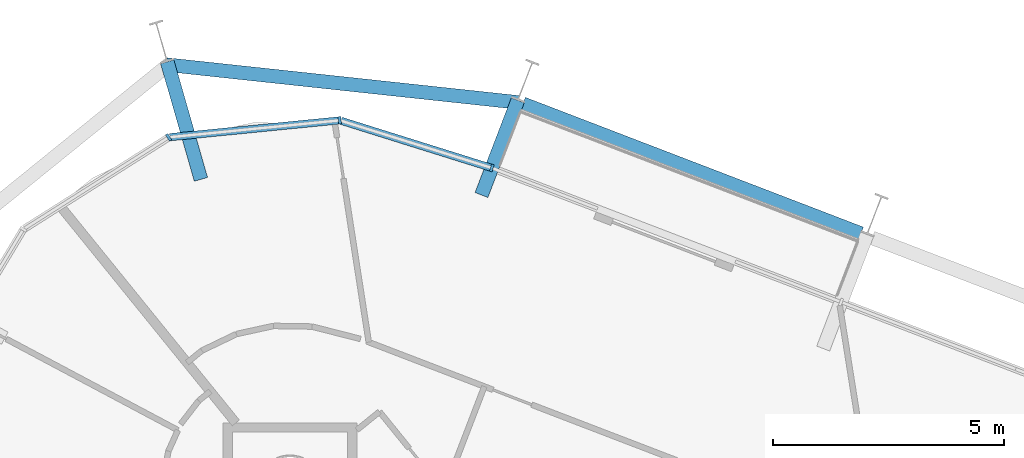
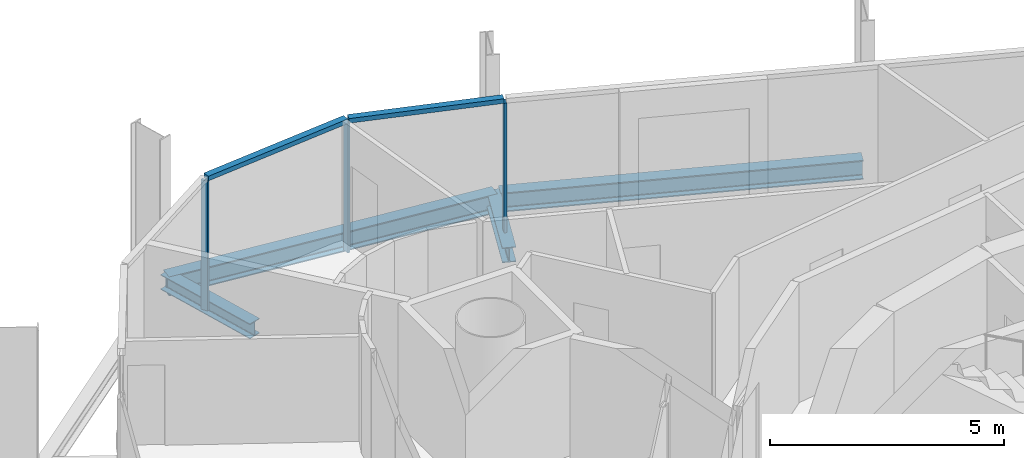
# One storey, part 8 of 17: 5 members, 4 beams, 1 element without a shape of its own.
"""IFC4 building model written with IfcOpenShell, lengths in metres."""

from ifc_helpers import new_model, si_unit, direction, frame, origin, origin_2d, place, context, subcontext, project, spatial, rectangle, i_section, extrude, material, layer, layer_set, material_profile, profile_set, type_object, element, aggregate, save


model = new_model("IFC4")

# Units and contexts
model_context = context("Model", 3, precision=1e-05, world=origin(), true_north=direction((0.0, 1.0)))
body_context = subcontext(model_context, "Body", "Model", "MODEL_VIEW")
ifc_project = project(units=[si_unit("LENGTHUNIT", "METRE"), si_unit("AREAUNIT", "SQUARE_METRE"), si_unit("VOLUMEUNIT", "CUBIC_METRE"), si_unit("PLANEANGLEUNIT", "RADIAN"), si_unit("MASSUNIT", "GRAM", prefix="KILO")], contexts=[model_context])

# Site, building, storey
site_placement = place(None, origin())
site = spatial("IfcSite", under=ifc_project, at=site_placement, CompositionType="ELEMENT")
building_placement = place(site_placement, origin())
building = spatial("IfcBuilding", under=site, at=building_placement, Name="Spindle Arch Residences", CompositionType="ELEMENT")
storey_placement = place(building_placement, frame((0.0, 0.0, 266.89990234375)))
storey = spatial("IfcBuildingStorey", under=building, at=storey_placement, Name="L68", CompositionType="ELEMENT", Elevation=266.89990234375)

# Curtain wall, members
ifc_material_1 = material(Name="Aluminium bronze unitised frame with tinted glass", Category="aluminium")
ifc_layer = layer(ifc_material_1, 0.159912109375)
ifc_layer_set = layer_set([ifc_layer], Name="CW-D corner wall on the fillet arcs")
curtain_wall_type = type_object("IfcCurtainWallType", Name="CW-D corner wall on the fillet arcs", PredefinedType="NOTDEFINED", material=ifc_layer_set)
curtain_wall_placement = place(storey_placement, origin())
curtain_wall = element("IfcCurtainWall", 1, at=curtain_wall_placement, inside=storey, type_object=curtain_wall_type, Name="CW-D L68 run 3", PredefinedType="NOTDEFINED")
ifc_material_2 = material(Name="Aluminium bronze anodised mullion", Category="aluminium")
ifc_material_profile_1 = material_profile(ifc_material_2, rectangle(XDim=0.159912109375, YDim=0.06005859375, at=origin_2d()), Name="MU 60x160")
ifc_profile_set_1 = profile_set([ifc_material_profile_1], Name="Aluminium bronze anodised mullion")
member_type_1 = type_object("IfcMemberType", Name="Bronze mullion 60x160", PredefinedType="MULLION", material=ifc_profile_set_1)
member_1_placement = place(storey_placement, frame((-7.577880859375, 21.73583984375, -0.3798828125), z_axis=(0.0, 0.0, 1.0), x_axis=(-0.298802665594, -0.954314920262, 0.0)))
member_1 = element("IfcMember", 2, at=member_1_placement, type_object=member_type_1, Name="CW-D mullion 00", PredefinedType="MULLION", context=body_context, shape_type="SweptSolid", body=[
    extrude(rectangle(XDim=0.159912109375, YDim=0.06005859375, at=origin_2d()), origin(), (0.0, 0.0, 1.0), 3.3798828125),
])
member_2_placement = place(storey_placement, frame((-10.874755859375, 22.768310546875, -0.3798828125), z_axis=(0.0, 0.0, 1.0), x_axis=(0.098740832762, -0.995113183485, 0.0)))
member_2 = element("IfcMember", 3, at=member_2_placement, type_object=member_type_1, Name="CW-D mullion 01", PredefinedType="MULLION", context=body_context, shape_type="SweptSolid", body=[
    extrude(rectangle(XDim=0.159912109375, YDim=0.06005859375, at=origin_2d()), origin(), (0.0, 0.0, 1.0), 3.3798828125),
])
member_3_placement = place(storey_placement, frame((-14.58349609375, 22.400390625, -0.3798828125), z_axis=(0.0, 0.0, 1.0), x_axis=(0.534844015322, -0.844950814707, 0.0)))
member_3 = element("IfcMember", 4, at=member_3_placement, type_object=member_type_1, Name="CW-D mullion 02", PredefinedType="MULLION", context=body_context, shape_type="SweptSolid", body=[
    extrude(rectangle(XDim=0.159912109375, YDim=0.06005859375, at=origin_2d()), origin(), (0.0, 0.0, 1.0), 3.3798828125),
])
ifc_material_3 = material(Name="Aluminium bronze anodised transom", Category="aluminium")
ifc_material_profile_2 = material_profile(ifc_material_3, rectangle(XDim=0.159912109375, YDim=0.1201171875, at=origin_2d()), Name="TR 120x160")
ifc_profile_set_2 = profile_set([ifc_material_profile_2], Name="Aluminium bronze anodised transom")
member_type_2 = type_object("IfcMemberType", Name="Bronze transom 120x160", PredefinedType="USERDEFINED", material=ifc_profile_set_2)
member_4_placement = place(storey_placement, frame((-7.6064453125, 21.744873046875, 3.06005859375), z_axis=(-0.95431347792, 0.298807272099, 0.0), x_axis=(-0.298807272099, -0.95431347792, 0.0)))
member_4 = element("IfcMember", 5, at=member_4_placement, type_object=member_type_2, Name="CW-D transom 00", ObjectType="TRANSOM", PredefinedType="USERDEFINED", context=body_context, shape_type="SweptSolid", body=[
    extrude(rectangle(XDim=0.159912109375, YDim=0.1201171875, at=origin_2d()), origin(), (0.0, 0.0, 1.0), 3.394775390625),
])
member_5_placement = place(storey_placement, frame((-10.90478515625, 22.765380859375, 3.06005859375), z_axis=(-0.99511271598, -0.098745544182, 0.0), x_axis=(0.098745544182, -0.99511271598, 0.0)))
member_5 = element("IfcMember", 6, at=member_5_placement, type_object=member_type_2, Name="CW-D transom 01", ObjectType="TRANSOM", PredefinedType="USERDEFINED", context=body_context, shape_type="SweptSolid", body=[
    extrude(rectangle(XDim=0.159912109375, YDim=0.1201171875, at=origin_2d()), origin(), (0.0, 0.0, 1.0), 3.66650390625),
])
aggregate(curtain_wall, [member_1, member_4, member_2, member_5, member_3])

# Beams
ifc_material_4 = material(Name="Steel S460ML, intumescent coating R 120", Category="steel")
ifc_material_profile_3 = material_profile(ifc_material_4, i_section(OverallWidth=0.300048828125, OverallDepth=0.5, WebThickness=0.014404296875, FlangeThickness=0.028076171875, FilletRadius=0.027099609375, at=origin_2d()), Name="HEB 500")
ifc_profile_set_3 = profile_set([ifc_material_profile_3], Name="Steel S460ML, intumescent coating R 120")
beam_type_1 = type_object("IfcBeamType", Name="Exoskeleton edge beam HEB 500", PredefinedType="BEAM", material=ifc_profile_set_3)
beam_1_placement = place(storey_placement, frame((0.421875, 20.314697265625, -0.6298828125), z_axis=(-0.933573929793, 0.358384873579, 0.0), x_axis=(-0.358384873579, -0.933573929793, 0.0)))
element("IfcBeam", 7, at=beam_1_placement, inside=storey, type_object=beam_type_1, Name="Exoskeleton edge beam 8", PredefinedType="BEAM", context=body_context, shape_type="SweptSolid", body=[
    extrude(i_section(OverallWidth=0.300048828125, OverallDepth=0.5, WebThickness=0.014404296875, FlangeThickness=0.028076171875, FilletRadius=0.027099609375, at=origin_2d()), origin(), (0.0, 0.0, 1.0), 7.84765625),
])
beam_2_placement = place(storey_placement, frame((-7.004150390625, 23.156005859375, -0.6298828125), z_axis=(-0.994272602523, 0.106873719275, 0.0), x_axis=(-0.106873719275, -0.994272602523, 0.0)))
element("IfcBeam", 8, at=beam_2_placement, inside=storey, type_object=beam_type_1, Name="Exoskeleton edge beam 9", PredefinedType="BEAM", context=body_context, shape_type="SweptSolid", body=[
    extrude(i_section(OverallWidth=0.300048828125, OverallDepth=0.5, WebThickness=0.014404296875, FlangeThickness=0.028076171875, FilletRadius=0.027099609375, at=origin_2d()), origin(), (0.0, 0.0, 1.0), 7.668701171875),
])
ifc_material_5 = material(Name="Steel S460ML, intumescent coating R 120", Category="steel")
ifc_material_profile_4 = material_profile(ifc_material_5, i_section(OverallWidth=0.300048828125, OverallDepth=0.389892578125, WebThickness=0.010986328125, FlangeThickness=0.01904296875, FilletRadius=0.027099609375, at=origin_2d()), Name="HEA 400")
ifc_profile_set_4 = profile_set([ifc_material_profile_4], Name="Steel S460ML, intumescent coating R 120")
beam_type_2 = type_object("IfcBeamType", Name="Floor outrigger HEA 400", PredefinedType="BEAM", material=ifc_profile_set_4)
beam_3_placement = place(storey_placement, frame((-7.01513671875, 23.20166015625, -0.574951171875), z_axis=(-0.358391076308, -0.933571548636, 0.0), x_axis=(0.933571548636, -0.358391076308, 0.0)))
element("IfcBeam", 9, at=beam_3_placement, inside=storey, type_object=beam_type_2, Name="Floor outrigger 9", PredefinedType="BEAM", context=body_context, shape_type="SweptSolid", body=[
    extrude(i_section(OverallWidth=0.300048828125, OverallDepth=0.389892578125, WebThickness=0.010986328125, FlangeThickness=0.01904296875, FilletRadius=0.027099609375, at=origin_2d()), origin(), (0.0, 0.0, 1.0), 2.1982421875),
])
beam_4_placement = place(storey_placement, frame((-14.61328125, 24.03662109375, -0.574951171875), z_axis=(0.275730877709, -0.961234874044, 0.0), x_axis=(0.961234874044, 0.275730877709, 0.0)))
element("IfcBeam", 10, at=beam_4_placement, inside=storey, type_object=beam_type_2, Name="Floor outrigger 10", PredefinedType="BEAM", context=body_context, shape_type="SweptSolid", body=[
    extrude(i_section(OverallWidth=0.300048828125, OverallDepth=0.389892578125, WebThickness=0.010986328125, FlangeThickness=0.01904296875, FilletRadius=0.027099609375, at=origin_2d()), origin(), (0.0, 0.0, 1.0), 2.650146484375),
])

save(model, "model.ifc")
